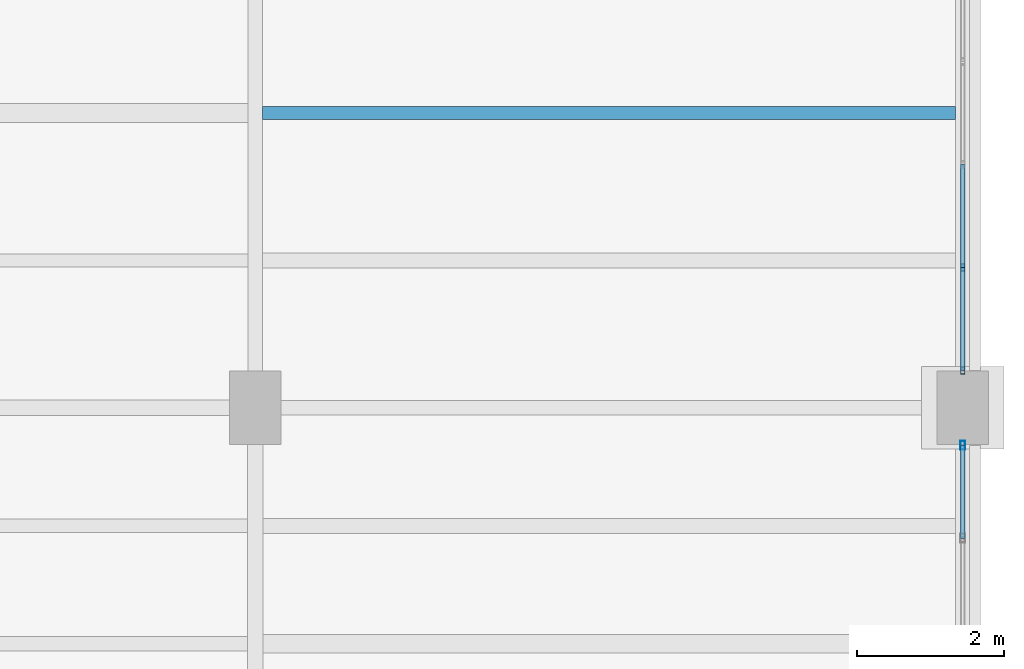
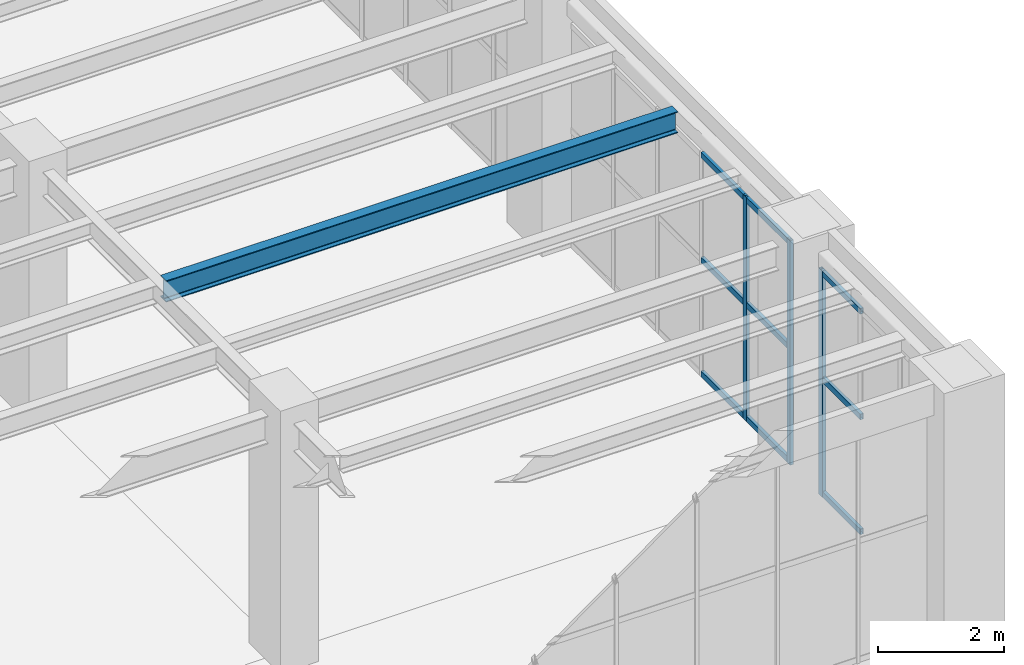
# One storey, part 105 of 174: 12 members, 1 beam, 2 elements without a shape of their own.
"""IFC4 building model written with IfcOpenShell, lengths in metres."""

from ifc_helpers import new_model, si_unit, direction, frame, origin, origin_2d, place, context, subcontext, project, spatial, hollow_rectangle, i_section, extrude, material, material_profile, profile_set, type_object, element, aggregate, save


model = new_model("IFC4")

# Units and contexts
model_context = context("Model", 3, precision=1e-05, world=origin(), true_north=direction((0.0, 1.0)))
body_context = subcontext(model_context, "Body", "Model", "MODEL_VIEW")
ifc_project = project(units=[si_unit("LENGTHUNIT", "METRE"), si_unit("AREAUNIT", "SQUARE_METRE"), si_unit("VOLUMEUNIT", "CUBIC_METRE"), si_unit("PLANEANGLEUNIT", "RADIAN"), si_unit("MASSUNIT", "GRAM", prefix="KILO")], contexts=[model_context])

# Site, building, storey
site_placement = place(None, origin())
site = spatial("IfcSite", under=ifc_project, at=site_placement, CompositionType="ELEMENT")
building_placement = place(site_placement, origin())
building = spatial("IfcBuilding", under=site, at=building_placement, Name="Mavantir Sound Aquarium", CompositionType="ELEMENT")
storey_placement = place(building_placement, frame((0.0, 0.0, 5.39990234375)))
storey = spatial("IfcBuildingStorey", under=building, at=storey_placement, Name="L01", CompositionType="ELEMENT", Elevation=5.39990234375)

# Beam
ifc_material_1 = material(Name="Structural Steel ASTM A992 Gr50", Category="steel")
ifc_material_profile_1 = material_profile(ifc_material_1, i_section(OverallWidth=0.180908203125, OverallDepth=0.4169921875, WebThickness=0.010986328125, FlangeThickness=0.018310546875, FilletRadius=0.014892578125, at=origin_2d()), Name="W410X85")
ifc_profile_set_1 = profile_set([ifc_material_profile_1], Name="Structural Steel ASTM A992 Gr50")
beam_type = type_object("IfcBeamType", Name="BM-W410X85-I", PredefinedType="JOIST", material=ifc_profile_set_1)
beam_placement = place(storey_placement, frame((165.697021484375, 44.800048828125, 4.59765625), z_axis=(1.0, 0.0, 0.0), x_axis=(0.0, 1.0, 0.0)))
element("IfcBeam", 1, at=beam_placement, inside=storey, type_object=beam_type, Name="L01 secondary floor joist SJ-41 749", PredefinedType="JOIST", context=body_context, shape_type="SweptSolid", body=[
    extrude(i_section(OverallWidth=0.180908203125, OverallDepth=0.4169921875, WebThickness=0.010986328125, FlangeThickness=0.018310546875, FilletRadius=0.014892578125, at=origin_2d()), origin(), (0.0, 0.0, 1.0), 9.403076171875),
])

# Curtain wall, members
ifc_material_2 = material(Name="Anodised Marine Aluminium and Low-E Glass", Category="aluminium")
curtain_wall_type_1 = type_object("IfcCurtainWallType", Name="CW-T09", PredefinedType="USERDEFINED", material=ifc_material_2)
curtain_wall_1_placement = place(storey_placement, origin())
curtain_wall_1 = element("IfcCurtainWall", 2, at=curtain_wall_1_placement, inside=storey, type_object=curtain_wall_type_1, Name="L01 unitised curtain wall CW-09 105", ObjectType="UNITISED GLAZING", PredefinedType="USERDEFINED")
ifc_material_3 = material(Name="Anodised Marine Aluminium 6063-T6", Category="aluminium")
ifc_material_profile_2 = material_profile(ifc_material_3, hollow_rectangle(XDim=0.06005859375, YDim=0.10009765625, WallThickness=0.00390625, at=origin_2d()), Name="ALU-MULLION-100X60")
ifc_profile_set_2 = profile_set([ifc_material_profile_2], Name="Anodised Marine Aluminium 6063-T6")
member_type_1 = type_object("IfcMemberType", Name="CW-MUL-100", PredefinedType="MULLION", material=ifc_profile_set_2)
member_1_placement = place(storey_placement, frame((175.199951171875, 41.30810546875, 0.0), z_axis=(0.0, 0.0, 1.0), x_axis=(1.0, 0.0, 0.0)))
member_1 = element("IfcMember", 3, at=member_1_placement, type_object=member_type_1, Name="CW-L01-105 vertical mullion 1", PredefinedType="MULLION", context=body_context, shape_type="SweptSolid", body=[
    extrude(hollow_rectangle(XDim=0.06005859375, YDim=0.10009765625, WallThickness=0.00390625, at=origin_2d()), origin(), (0.0, 0.0, 1.0), 4.359130859375),
])
member_2_placement = place(storey_placement, frame((175.199951171875, 42.704833984375, 0.0), z_axis=(0.0, 0.0, 1.0), x_axis=(1.0, 0.0, 0.0)))
member_2 = element("IfcMember", 4, at=member_2_placement, type_object=member_type_1, Name="CW-L01-105 vertical mullion 2", PredefinedType="MULLION", context=body_context, shape_type="SweptSolid", body=[
    extrude(hollow_rectangle(XDim=0.06005859375, YDim=0.10009765625, WallThickness=0.00390625, at=origin_2d()), origin(), (0.0, 0.0, 1.0), 4.359130859375),
])

curtain_wall_type_2 = type_object("IfcCurtainWallType", Name="CW-T08", PredefinedType="USERDEFINED", material=ifc_material_2)
curtain_wall_2_placement = place(storey_placement, origin())
curtain_wall_2 = element("IfcCurtainWall", 5, at=curtain_wall_2_placement, inside=storey, type_object=curtain_wall_type_2, Name="L01 unitised curtain wall CW-08 104", ObjectType="UNITISED GLAZING", PredefinedType="USERDEFINED")
ifc_material_profile_3 = material_profile(ifc_material_3, hollow_rectangle(XDim=0.06494140625, YDim=0.1201171875, WallThickness=0.00390625, at=origin_2d()), Name="ALU-MULLION-120X65")
ifc_profile_set_3 = profile_set([ifc_material_profile_3], Name="Anodised Marine Aluminium 6063-T6")
member_type_2 = type_object("IfcMemberType", Name="CW-MUL-120", PredefinedType="MULLION", material=ifc_profile_set_3)
member_3_placement = place(storey_placement, frame((175.199951171875, 40.2919921875, 0.0), z_axis=(0.0, 0.0, 1.0), x_axis=(1.0, 0.0, 0.0)))
member_3 = element("IfcMember", 6, at=member_3_placement, type_object=member_type_2, Name="CW-L01-104 vertical mullion 4", PredefinedType="MULLION", context=body_context, shape_type="SweptSolid", body=[
    extrude(hollow_rectangle(XDim=0.06494140625, YDim=0.1201171875, WallThickness=0.00390625, at=origin_2d()), origin(), (0.0, 0.0, 1.0), 4.39306640625),
])
ifc_material_profile_4 = material_profile(ifc_material_3, hollow_rectangle(XDim=0.06005859375, YDim=0.110107421875, WallThickness=0.00390625, at=origin_2d()), Name="ALU-TRANSOM-110X60")
ifc_profile_set_4 = profile_set([ifc_material_profile_4], Name="Anodised Marine Aluminium 6063-T6")
member_type_3 = type_object("IfcMemberType", Name="CW-TRN-110", PredefinedType="USERDEFINED", material=ifc_profile_set_4)
member_4_placement = place(storey_placement, frame((175.199951171875, 39.03076171875, 0.05517578125), z_axis=(0.0, 1.0, 0.0), x_axis=(-1.0, 0.0, 0.0)))
member_4 = element("IfcMember", 7, at=member_4_placement, type_object=member_type_3, Name="CW-L01-104 transom 3.1", ObjectType="TRANSOM", PredefinedType="USERDEFINED", context=body_context, shape_type="SweptSolid", body=[
    extrude(hollow_rectangle(XDim=0.06005859375, YDim=0.110107421875, WallThickness=0.00390625, at=origin_2d()), origin(), (0.0, 0.0, 1.0), 1.26123046875),
])
member_5_placement = place(storey_placement, frame((175.199951171875, 39.03076171875, 2.284423828125), z_axis=(0.0, 1.0, 0.0), x_axis=(-1.0, 0.0, 0.0)))
member_5 = element("IfcMember", 8, at=member_5_placement, type_object=member_type_3, Name="CW-L01-104 transom 3.2", ObjectType="TRANSOM", PredefinedType="USERDEFINED", context=body_context, shape_type="SweptSolid", body=[
    extrude(hollow_rectangle(XDim=0.06005859375, YDim=0.110107421875, WallThickness=0.00390625, at=origin_2d()), origin(), (0.0, 0.0, 1.0), 1.26123046875),
])
member_6_placement = place(storey_placement, frame((175.199951171875, 39.03076171875, 4.338134765625), z_axis=(0.0, 1.0, 0.0), x_axis=(-1.0, 0.0, 0.0)))
member_6 = element("IfcMember", 9, at=member_6_placement, type_object=member_type_3, Name="CW-L01-104 transom 3.3", ObjectType="TRANSOM", PredefinedType="USERDEFINED", context=body_context, shape_type="SweptSolid", body=[
    extrude(hollow_rectangle(XDim=0.06005859375, YDim=0.110107421875, WallThickness=0.00390625, at=origin_2d()), origin(), (0.0, 0.0, 1.0), 1.26123046875),
])
aggregate(curtain_wall_2, [member_3, member_4, member_5, member_6])

# Member
member_7_placement = place(storey_placement, frame((175.199951171875, 41.30810546875, 0.05517578125), z_axis=(0.0, 1.0, 0.0), x_axis=(-1.0, 0.0, 0.0)))
member_7 = element("IfcMember", 10, at=member_7_placement, type_object=member_type_3, Name="CW-L01-105 transom 1.1", ObjectType="TRANSOM", PredefinedType="USERDEFINED", context=body_context, shape_type="SweptSolid", body=[
    extrude(hollow_rectangle(XDim=0.06005859375, YDim=0.110107421875, WallThickness=0.00390625, at=origin_2d()), origin(), (0.0, 0.0, 1.0), 1.396728515625),
])

member_8_placement = place(storey_placement, frame((175.199951171875, 41.30810546875, 2.266845703125), z_axis=(0.0, 1.0, 0.0), x_axis=(-1.0, 0.0, 0.0)))
member_8 = element("IfcMember", 11, at=member_8_placement, type_object=member_type_3, Name="CW-L01-105 transom 1.2", ObjectType="TRANSOM", PredefinedType="USERDEFINED", context=body_context, shape_type="SweptSolid", body=[
    extrude(hollow_rectangle(XDim=0.06005859375, YDim=0.110107421875, WallThickness=0.00390625, at=origin_2d()), origin(), (0.0, 0.0, 1.0), 1.396728515625),
])

member_9_placement = place(storey_placement, frame((175.199951171875, 41.30810546875, 4.30419921875), z_axis=(0.0, 1.0, 0.0), x_axis=(-1.0, 0.0, 0.0)))
member_9 = element("IfcMember", 12, at=member_9_placement, type_object=member_type_3, Name="CW-L01-105 transom 1.3", ObjectType="TRANSOM", PredefinedType="USERDEFINED", context=body_context, shape_type="SweptSolid", body=[
    extrude(hollow_rectangle(XDim=0.06005859375, YDim=0.110107421875, WallThickness=0.00390625, at=origin_2d()), origin(), (0.0, 0.0, 1.0), 1.396728515625),
])

member_10_placement = place(storey_placement, frame((175.199951171875, 42.704833984375, 0.05517578125), z_axis=(0.0, 1.0, 0.0), x_axis=(-1.0, 0.0, 0.0)))
member_10 = element("IfcMember", 13, at=member_10_placement, type_object=member_type_3, Name="CW-L01-105 transom 2.1", ObjectType="TRANSOM", PredefinedType="USERDEFINED", context=body_context, shape_type="SweptSolid", body=[
    extrude(hollow_rectangle(XDim=0.06005859375, YDim=0.110107421875, WallThickness=0.00390625, at=origin_2d()), origin(), (0.0, 0.0, 1.0), 1.396728515625),
])

member_11_placement = place(storey_placement, frame((175.199951171875, 42.704833984375, 2.266845703125), z_axis=(0.0, 1.0, 0.0), x_axis=(-1.0, 0.0, 0.0)))
member_11 = element("IfcMember", 14, at=member_11_placement, type_object=member_type_3, Name="CW-L01-105 transom 2.2", ObjectType="TRANSOM", PredefinedType="USERDEFINED", context=body_context, shape_type="SweptSolid", body=[
    extrude(hollow_rectangle(XDim=0.06005859375, YDim=0.110107421875, WallThickness=0.00390625, at=origin_2d()), origin(), (0.0, 0.0, 1.0), 1.396728515625),
])

member_12_placement = place(storey_placement, frame((175.199951171875, 42.704833984375, 4.30419921875), z_axis=(0.0, 1.0, 0.0), x_axis=(-1.0, 0.0, 0.0)))
member_12 = element("IfcMember", 15, at=member_12_placement, type_object=member_type_3, Name="CW-L01-105 transom 2.3", ObjectType="TRANSOM", PredefinedType="USERDEFINED", context=body_context, shape_type="SweptSolid", body=[
    extrude(hollow_rectangle(XDim=0.06005859375, YDim=0.110107421875, WallThickness=0.00390625, at=origin_2d()), origin(), (0.0, 0.0, 1.0), 1.396728515625),
])

aggregate(curtain_wall_1, [member_1, member_2, member_7, member_8, member_9, member_10, member_11, member_12])

save(model, "model.ifc")
